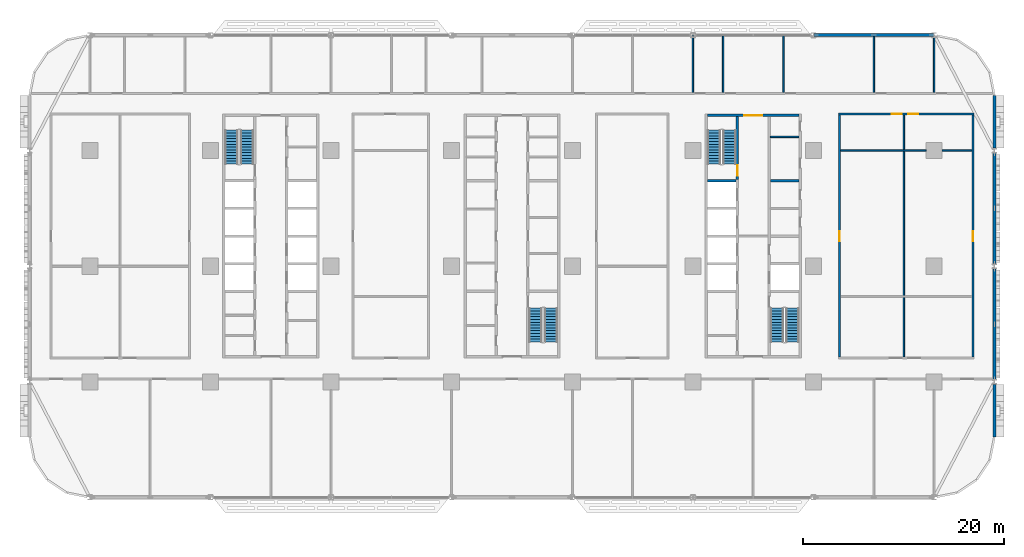
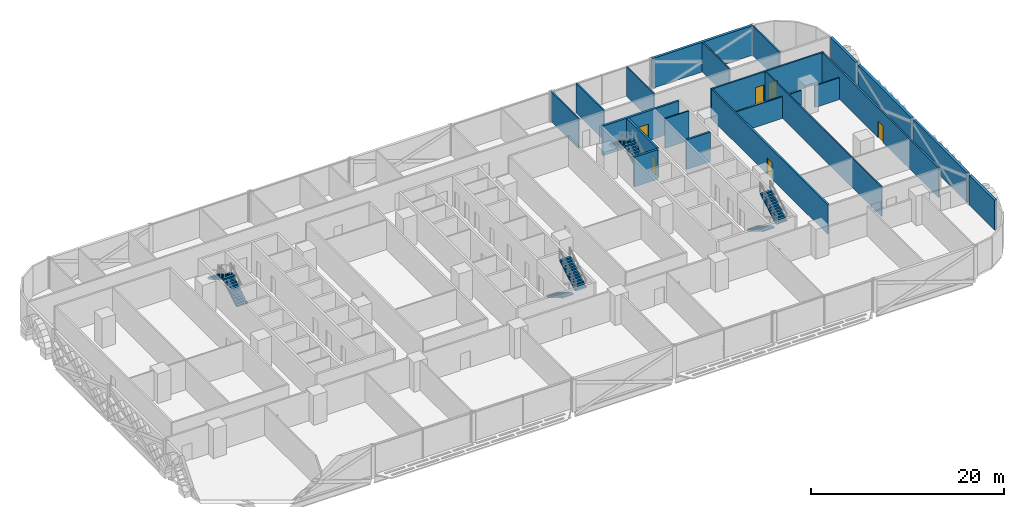
# One storey, part 15 of 29: 21 walls, 8 stair flights, 6 doors, 6 openings, 4 elements without a shape of their own.
"""IFC4 building model written with IfcOpenShell, lengths in metres."""

from ifc_helpers import new_model, si_unit, direction, frame, frame_2d, origin, place, context, subcontext, project, spatial, polyline, rectangle, outline, extrude, material, layer, layer_set, type_object, element, fill, aggregate, save


model = new_model("IFC4")

# Units and contexts
model_context = context("Model", 3, precision=1e-05, world=origin(), true_north=direction((0.0, 1.0)))
body_context = subcontext(model_context, "Body", "Model", "MODEL_VIEW")
ifc_project = project(units=[si_unit("LENGTHUNIT", "METRE"), si_unit("AREAUNIT", "SQUARE_METRE"), si_unit("VOLUMEUNIT", "CUBIC_METRE"), si_unit("PLANEANGLEUNIT", "RADIAN"), si_unit("MASSUNIT", "GRAM", prefix="KILO")], contexts=[model_context])

# Site, building, storey
site_placement = place(None, origin())
site = spatial("IfcSite", under=ifc_project, at=site_placement, CompositionType="ELEMENT")
building_placement = place(site_placement, origin())
building = spatial("IfcBuilding", under=site, at=building_placement, Name="Mahtab Terrace Research Tower", CompositionType="ELEMENT")
storey_placement = place(building_placement, frame((0.0, 0.0, 37.300048828125)))
storey = spatial("IfcBuildingStorey", under=building, at=storey_placement, Name="L08", CompositionType="ELEMENT", Elevation=37.300048828125)

# Wall
ifc_material_1 = material(Name="Gypsum board partition")
ifc_layer_1 = layer(ifc_material_1, 0.14990234375)
ifc_layer_set_1 = layer_set([ifc_layer_1], Name="Core partition 150")
wall_type_1 = type_object("IfcWallType", Name="Core partition 150", PredefinedType="PARTITIONING", material=ifc_layer_set_1)
wall_1_placement = place(storey_placement, frame((25.699951171875, 12.875, 0.0), z_axis=(0.0, 0.0, 1.0), x_axis=(1.0, 0.0, 0.0)))
element("IfcWall", 1, at=wall_1_placement, inside=storey, type_object=wall_type_1, Name="Core wall C pEN988", PredefinedType="PARTITIONING", context=body_context, shape_type="SweptSolid", body=[
    extrude(rectangle(XDim=2.85009765625, YDim=0.14990234375, at=frame_2d((1.425048828125, 0.0))), origin(), (0.0, 0.0, 1.0), 3.75),
])

# Wall, opening, door
ifc_material_2 = material(Name="Concrete C70/85", Category="concrete")
ifc_layer_2 = layer(ifc_material_2, 0.25)
ifc_layer_set_2 = layer_set([ifc_layer_2], Name="Core wall 250")
wall_type_2 = type_object("IfcWallType", Name="Core wall 250", PredefinedType="SOLIDWALL", material=ifc_layer_set_2)
wall_2_placement = place(storey_placement, frame((19.449951171875, 15.0, 0.0), z_axis=(0.0, 0.0, 1.0), x_axis=(1.0, 0.0, 0.0)))
wall_2 = element("IfcWall", 2, at=wall_2_placement, inside=storey, type_object=wall_type_2, Name="Core wall C endN", PredefinedType="SOLIDWALL", context=body_context, shape_type="SweptSolid", body=[
    extrude(rectangle(XDim=9.10009765625, YDim=0.25, at=frame_2d((4.550048828125, 0.0))), origin(), (0.0, 0.0, 1.0), 3.75),
])
opening_1_placement = place(wall_2_placement, frame((3.64990234375, 0.0, 0.0)))
opening_1 = element("IfcOpeningElement", 3, at=opening_1_placement, cuts=wall_2, Name="Opening C-N1", PredefinedType="OPENING", context=body_context, shape_type="SweptSolid", body=[
    extrude(rectangle(XDim=1.800048828125, YDim=2.10009765625, at=frame_2d((0.89990234375, 1.050048828125))), frame((0.0, 0.135009765625, 0.0), z_axis=(0.0, -1.0, 0.0), x_axis=(1.0, 0.0, 0.0)), (0.0, 0.0, 1.0), 0.27001953125),
])
ifc_material_3 = material(Name="Steel fire door", Category="steel")
door_type_1 = type_object("IfcDoorType", Name="Lobby double door 1800x2100 1 HR", OperationType="DOUBLE_DOOR_SINGLE_SWING", PredefinedType="DOOR", material=ifc_material_3)
door_1_placement = place(opening_1_placement, origin())
door_1 = element("IfcDoor", 4, at=door_1_placement, inside=storey, type_object=door_type_1, Name="Core entrance door C N", OperationType="DOUBLE_DOOR_SINGLE_SWING", OverallHeight=2.10009765625, OverallWidth=1.800048828125, PredefinedType="DOOR", context=body_context, shape_type="SweptSolid", body=[
    extrude(rectangle(XDim=1.800048828125, YDim=2.10009765625, at=frame_2d((0.89990234375, 1.050048828125))), frame((0.0, 0.02490234375, 0.0), z_axis=(0.0, -1.0, 0.0), x_axis=(1.0, 0.0, 0.0)), (0.0, 0.0, 1.0), 0.050048828125),
])
fill(opening_1, door_1)

wall_3_placement = place(storey_placement, frame((22.425048828125, 14.875, 0.0), z_axis=(0.0, 0.0, 1.0), x_axis=(0.0, -1.0, 0.0)))
wall_3 = element("IfcWall", 5, at=wall_3_placement, inside=storey, type_object=wall_type_2, Name="Core wall C innerWN", PredefinedType="SOLIDWALL", context=body_context, shape_type="SweptSolid", body=[
    extrude(rectangle(XDim=6.25, YDim=0.25, at=frame_2d((3.125, 0.0))), origin(), (0.0, 0.0, 1.0), 3.75),
])
opening_2_placement = place(wall_3_placement, frame((4.85009765625, 0.0, 0.0)))
opening_2 = element("IfcOpeningElement", 6, at=opening_2_placement, cuts=wall_3, Name="Opening C-ST3", PredefinedType="OPENING", context=body_context, shape_type="SweptSolid", body=[
    extrude(rectangle(XDim=1.0, YDim=2.10009765625, at=frame_2d((0.5, 1.050048828125))), frame((0.0, 0.135009765625, 0.0), z_axis=(0.0, -1.0, 0.0), x_axis=(1.0, 0.0, 0.0)), (0.0, 0.0, 1.0), 0.27001953125),
])
door_type_2 = type_object("IfcDoorType", Name="Stair door 1000x2100 1.5 HR", OperationType="NOTDEFINED", PredefinedType="DOOR", material=ifc_material_3)
door_2_placement = place(opening_2_placement, origin())
door_2 = element("IfcDoor", 7, at=door_2_placement, inside=storey, type_object=door_type_2, Name="Stair door ST3 L08", OperationType="SINGLE_SWING_RIGHT", OverallHeight=2.10009765625, OverallWidth=1.0, PredefinedType="DOOR", context=body_context, shape_type="SweptSolid", body=[
    extrude(rectangle(XDim=1.0, YDim=2.10009765625, at=frame_2d((0.5, 1.050048828125))), frame((0.0, 0.02490234375, 0.0), z_axis=(0.0, -1.0, 0.0), x_axis=(1.0, 0.0, 0.0)), (0.0, 0.0, 1.0), 0.050048828125),
])
fill(opening_2, door_2)

# Walls
for number, where, z_axis, x_axis, name in (
    (8, (19.449951171875, 8.5, 0.0), (0.0, 0.0, 1.0), (1.0, 0.0, 0.0), "Core wall C divW4"),
    (9, (25.699951171875, 8.5, 0.0), (0.0, 0.0, 1.0), (1.0, 0.0, 0.0), "Core wall C divE4"),
):
    element("IfcWall", number, at=place(storey_placement, frame(where, z_axis=z_axis, x_axis=x_axis)), inside=storey, type_object=wall_type_2, Name=name, PredefinedType="SOLIDWALL", context=body_context, shape_type="SweptSolid", body=[
        extrude(rectangle(XDim=2.85009765625, YDim=0.25, at=frame_2d((1.425048828125, 0.0))), origin(), (0.0, 0.0, 1.0), 3.75),
    ])
ifc_material_4 = material(Name="Black aluminium cladding panel", Category="aluminium")
ifc_layer_3 = layer(ifc_material_4, 0.300048828125)
ifc_layer_set_3 = layer_set([ifc_layer_3], Name="Opaque facade wall 300")
wall_type_3 = type_object("IfcWallType", Name="Opaque facade wall 300", PredefinedType="NOTDEFINED", material=ifc_layer_set_3)
wall_4_placement = place(storey_placement, frame((41.97216796875, 23.0, 0.0), z_axis=(0.0, 0.0, 1.0), x_axis=(-1.0, 0.0, 0.0)))
element("IfcWall", 10, at=wall_4_placement, inside=storey, type_object=wall_type_3, Name="Opaque facade wall L08 N3", PredefinedType="NOTDEFINED", context=body_context, shape_type="SweptSolid", body=[
    extrude(rectangle(XDim=11.9443359375, YDim=0.300048828125, at=frame_2d((5.97216796875, 0.0))), origin(), (0.0, 0.0, 1.0), 3.75),
])
wall_5_placement = place(storey_placement, frame((48.0, -17.0, 0.0), z_axis=(0.0, 0.0, 1.0), x_axis=(0.0, 1.0, 0.0)))
element("IfcWall", 11, at=wall_5_placement, inside=storey, type_object=wall_type_3, Name="Opaque facade wall L08 E33", PredefinedType="NOTDEFINED", context=body_context, shape_type="SweptSolid", body=[
    extrude(rectangle(XDim=5.2509765625, YDim=0.300048828125, at=frame_2d((2.62548828125, 0.0))), origin(), (0.0, 0.0, 1.0), 3.75),
])
for number, where, z_axis, x_axis, name in (
    (12, (48.0, -11.2509765625, 0.0), (0.0, 0.0, 1.0), (0.0, 1.0, 0.0), "Opaque facade wall L08 E34"),
    (13, (48.0, 0.2490234375, 0.0), (0.0, 0.0, 1.0), (0.0, 1.0, 0.0), "Opaque facade wall L08 E35"),
):
    element("IfcWall", number, at=place(storey_placement, frame(where, z_axis=z_axis, x_axis=x_axis)), inside=storey, type_object=wall_type_3, Name=name, PredefinedType="NOTDEFINED", context=body_context, shape_type="SweptSolid", body=[
        extrude(rectangle(XDim=11.001953125, YDim=0.300048828125, at=frame_2d((5.5009765625, 0.0))), origin(), (0.0, 0.0, 1.0), 3.75),
    ])
wall_6_placement = place(storey_placement, frame((48.0, 11.7490234375, 0.0), z_axis=(0.0, 0.0, 1.0), x_axis=(0.0, 1.0, 0.0)))
element("IfcWall", 14, at=wall_6_placement, inside=storey, type_object=wall_type_3, Name="Opaque facade wall L08 E36", PredefinedType="NOTDEFINED", context=body_context, shape_type="SweptSolid", body=[
    extrude(rectangle(XDim=5.2509765625, YDim=0.300048828125, at=frame_2d((2.62548828125, 0.0))), origin(), (0.0, 0.0, 1.0), 3.75),
])

# Wall, openings, doors
ifc_material_5 = material(Name="Gypsum board corridor wall on steel studs", Category="steel")
ifc_layer_4 = layer(ifc_material_5, 0.199951171875)
ifc_layer_set_4 = layer_set([ifc_layer_4], Name="WALL CORRIDOR 200")
wall_type_4 = type_object("IfcWallType", Name="WALL CORRIDOR 200", PredefinedType="PARTITIONING", material=ifc_layer_set_4)
wall_7_placement = place(storey_placement, frame((32.5, 15.125, 0.0), z_axis=(0.0, 0.0, 1.0), x_axis=(1.0, 0.0, 0.0)))
wall_7 = element("IfcWall", 15, at=wall_7_placement, inside=storey, type_object=wall_type_4, Name="L08-W025", PredefinedType="PARTITIONING", context=body_context, shape_type="SweptSolid", body=[
    extrude(rectangle(XDim=13.449951171875, YDim=0.199951171875, at=frame_2d((6.72509765625, 0.0))), origin(), (0.0, 0.0, 1.0), 3.75),
])
opening_3_placement = place(wall_7_placement, frame((5.300048828125, 0.0, 0.0)))
opening_3 = element("IfcOpeningElement", 16, at=opening_3_placement, cuts=wall_7, Name="Opening L08-124", PredefinedType="OPENING", context=body_context, shape_type="SweptSolid", body=[
    extrude(rectangle(XDim=1.0, YDim=2.10009765625, at=frame_2d((0.5, 1.050048828125))), frame((0.0, 0.10986328125, 0.0), z_axis=(0.0, -1.0, 0.0), x_axis=(1.0, 0.0, 0.0)), (0.0, 0.0, 1.0), 0.219970703125),
])
opening_4_placement = place(wall_7_placement, frame((6.89990234375, 0.0, 0.0)))
opening_4 = element("IfcOpeningElement", 17, at=opening_4_placement, cuts=wall_7, Name="Opening L08-125", PredefinedType="OPENING", context=body_context, shape_type="SweptSolid", body=[
    extrude(rectangle(XDim=1.0, YDim=2.10009765625, at=frame_2d((0.5, 1.050048828125))), frame((0.0, 0.10986328125, 0.0), z_axis=(0.0, -1.0, 0.0), x_axis=(1.0, 0.0, 0.0)), (0.0, 0.0, 1.0), 0.219970703125),
])
ifc_material_6 = material(Name="Timber door leaf in steel frame", Category="steel")
door_type_3 = type_object("IfcDoorType", Name="DOOR 1000X2100 FD30S", OperationType="SINGLE_SWING_LEFT", PredefinedType="DOOR", material=ifc_material_6)
door_3_placement = place(opening_3_placement, origin())
door_3 = element("IfcDoor", 18, at=door_3_placement, inside=storey, type_object=door_type_3, Name="Door L08-124", OperationType="SINGLE_SWING_RIGHT", OverallHeight=2.10009765625, OverallWidth=1.0, PredefinedType="DOOR", context=body_context, shape_type="SweptSolid", body=[
    extrude(rectangle(XDim=1.0, YDim=2.10009765625, at=frame_2d((0.5, 1.050048828125))), frame((0.0, 0.02490234375, 0.0), z_axis=(0.0, -1.0, 0.0), x_axis=(1.0, 0.0, 0.0)), (0.0, 0.0, 1.0), 0.050048828125),
])
fill(opening_3, door_3)
door_4_placement = place(opening_4_placement, origin())
door_4 = element("IfcDoor", 19, at=door_4_placement, inside=storey, type_object=door_type_3, Name="Door L08-125", OperationType="SINGLE_SWING_LEFT", OverallHeight=2.10009765625, OverallWidth=1.0, PredefinedType="DOOR", context=body_context, shape_type="SweptSolid", body=[
    extrude(rectangle(XDim=1.0, YDim=2.10009765625, at=frame_2d((0.5, 1.050048828125))), frame((0.0, 0.02490234375, 0.0), z_axis=(0.0, -1.0, 0.0), x_axis=(1.0, 0.0, 0.0)), (0.0, 0.0, 1.0), 0.050048828125),
])
fill(opening_4, door_4)

# Wall, opening, door
wall_8_placement = place(storey_placement, frame((32.60009765625, -9.02490234375, 0.0), z_axis=(0.0, 0.0, 1.0), x_axis=(0.0, 1.0, 0.0)))
wall_8 = element("IfcWall", 20, at=wall_8_placement, inside=storey, type_object=wall_type_4, Name="L08-W054", PredefinedType="PARTITIONING", context=body_context, shape_type="SweptSolid", body=[
    extrude(rectangle(XDim=24.0498046875, YDim=0.199951171875, at=frame_2d((12.02490234375, 0.0))), origin(), (0.0, 0.0, 1.0), 3.75),
])
opening_5_placement = place(wall_8_placement, frame((11.5, 0.0, 0.0)))
opening_5 = element("IfcOpeningElement", 21, at=opening_5_placement, cuts=wall_8, Name="Opening L08-118", PredefinedType="OPENING", context=body_context, shape_type="SweptSolid", body=[
    extrude(rectangle(XDim=1.0, YDim=2.10009765625, at=frame_2d((0.5, 1.050048828125))), frame((0.0, 0.10986328125, 0.0), z_axis=(0.0, -1.0, 0.0), x_axis=(1.0, 0.0, 0.0)), (0.0, 0.0, 1.0), 0.219970703125),
])
door_5_placement = place(opening_5_placement, origin())
door_5 = element("IfcDoor", 22, at=door_5_placement, inside=storey, type_object=door_type_3, Name="Door L08-118", OperationType="SINGLE_SWING_RIGHT", OverallHeight=2.10009765625, OverallWidth=1.0, PredefinedType="DOOR", context=body_context, shape_type="SweptSolid", body=[
    extrude(rectangle(XDim=1.0, YDim=2.10009765625, at=frame_2d((0.5, 1.050048828125))), frame((0.0, 0.02490234375, 0.0), z_axis=(0.0, -1.0, 0.0), x_axis=(1.0, 0.0, 0.0)), (0.0, 0.0, 1.0), 0.050048828125),
])
fill(opening_5, door_5)

wall_9_placement = place(storey_placement, frame((45.85009765625, -9.02490234375, 0.0), z_axis=(0.0, 0.0, 1.0), x_axis=(0.0, 1.0, 0.0)))
wall_9 = element("IfcWall", 23, at=wall_9_placement, inside=storey, type_object=wall_type_4, Name="L08-W060", PredefinedType="PARTITIONING", context=body_context, shape_type="SweptSolid", body=[
    extrude(rectangle(XDim=24.0498046875, YDim=0.199951171875, at=frame_2d((12.02490234375, 0.0))), origin(), (0.0, 0.0, 1.0), 3.75),
])
opening_6_placement = place(wall_9_placement, frame((11.5, 0.0, 0.0)))
opening_6 = element("IfcOpeningElement", 24, at=opening_6_placement, cuts=wall_9, Name="Opening L08-119", PredefinedType="OPENING", context=body_context, shape_type="SweptSolid", body=[
    extrude(rectangle(XDim=1.0, YDim=2.10009765625, at=frame_2d((0.5, 1.050048828125))), frame((0.0, 0.10986328125, 0.0), z_axis=(0.0, -1.0, 0.0), x_axis=(1.0, 0.0, 0.0)), (0.0, 0.0, 1.0), 0.219970703125),
])
door_6_placement = place(opening_6_placement, origin())
door_6 = element("IfcDoor", 25, at=door_6_placement, inside=storey, type_object=door_type_3, Name="Door L08-119", OperationType="SINGLE_SWING_LEFT", OverallHeight=2.10009765625, OverallWidth=1.0, PredefinedType="DOOR", context=body_context, shape_type="SweptSolid", body=[
    extrude(rectangle(XDim=1.0, YDim=2.10009765625, at=frame_2d((0.5, 1.050048828125))), frame((0.0, 0.02490234375, 0.0), z_axis=(0.0, -1.0, 0.0), x_axis=(1.0, 0.0, 0.0)), (0.0, 0.0, 1.0), 0.050048828125),
])
fill(opening_6, door_6)

# Walls
ifc_material_7 = material(Name="Gypsum board partition on steel studs", Category="steel")
ifc_layer_5 = layer(ifc_material_7, 0.14990234375)
ifc_layer_set_5 = layer_set([ifc_layer_5], Name="WALL PARTITION 150")
wall_type_5 = type_object("IfcWallType", Name="WALL PARTITION 150", PredefinedType="PARTITIONING", material=ifc_layer_set_5)
wall_10_placement = place(storey_placement, frame((32.699951171875, 11.5, 0.0), z_axis=(0.0, 0.0, 1.0), x_axis=(1.0, 0.0, 0.0)))
element("IfcWall", 26, at=wall_10_placement, inside=storey, type_object=wall_type_5, Name="L08-W020", PredefinedType="PARTITIONING", context=body_context, shape_type="SweptSolid", body=[
    extrude(rectangle(XDim=8.5, YDim=0.14990234375, at=frame_2d((4.25, 0.0))), origin(), (0.0, 0.0, 1.0), 2.751220703125),
])
wall_11_placement = place(storey_placement, frame((42.800048828125, 11.5, 0.0), z_axis=(0.0, 0.0, 1.0), x_axis=(1.0, 0.0, 0.0)))
element("IfcWall", 27, at=wall_11_placement, inside=storey, type_object=wall_type_5, Name="L08-W021", PredefinedType="PARTITIONING", context=body_context, shape_type="SweptSolid", body=[
    extrude(rectangle(XDim=2.949951171875, YDim=0.14990234375, at=frame_2d((1.47509765625, 0.0))), origin(), (0.0, 0.0, 1.0), 2.751220703125),
])
for number, where, z_axis, x_axis, name in (
    (28, (18.0, 17.300048828125, 0.0), (0.0, 0.0, 1.0), (0.0, 1.0, 0.0), "L08-W050"),
    (29, (21.0, 17.300048828125, 0.0), (0.0, 0.0, 1.0), (0.0, 1.0, 0.0), "L08-W051"),
    (30, (27.0, 17.300048828125, 0.0), (0.0, 0.0, 1.0), (0.0, 1.0, 0.0), "L08-W053"),
):
    element("IfcWall", number, at=place(storey_placement, frame(where, z_axis=z_axis, x_axis=x_axis)), inside=storey, type_object=wall_type_5, Name=name, PredefinedType="PARTITIONING", context=body_context, shape_type="SweptSolid", body=[
        extrude(rectangle(XDim=5.675048828125, YDim=0.14990234375, at=frame_2d((2.83740234375, 0.0))), origin(), (0.0, 0.0, 1.0), 3.75),
    ])
wall_12_placement = place(storey_placement, frame((36.0, 17.300048828125, 0.0), z_axis=(0.0, 0.0, 1.0), x_axis=(0.0, 1.0, 0.0)))
element("IfcWall", 31, at=wall_12_placement, inside=storey, type_object=wall_type_5, Name="L08-W056", PredefinedType="PARTITIONING", context=body_context, shape_type="SweptSolid", body=[
    extrude(rectangle(XDim=5.550048828125, YDim=0.14990234375, at=frame_2d((2.77490234375, 0.0))), origin(), (0.0, 0.0, 1.0), 3.75),
])
wall_13_placement = place(storey_placement, frame((39.0, -9.02490234375, 0.0), z_axis=(0.0, 0.0, 1.0), x_axis=(0.0, 1.0, 0.0)))
element("IfcWall", 32, at=wall_13_placement, inside=storey, type_object=wall_type_5, Name="L08-W057", PredefinedType="PARTITIONING", context=body_context, shape_type="SweptSolid", body=[
    extrude(rectangle(XDim=24.0498046875, YDim=0.14990234375, at=frame_2d((12.02490234375, 0.0))), origin(), (0.0, 0.0, 1.0), 3.75),
])
wall_14_placement = place(storey_placement, frame((42.0, 17.300048828125, 0.0), z_axis=(0.0, 0.0, 1.0), x_axis=(0.0, 1.0, 0.0)))
element("IfcWall", 33, at=wall_14_placement, inside=storey, type_object=wall_type_5, Name="L08-W059", PredefinedType="PARTITIONING", context=body_context, shape_type="SweptSolid", body=[
    extrude(rectangle(XDim=5.547119140625, YDim=0.14990234375, at=frame_2d((2.7734375, 0.0))), origin(), (0.0, 0.0, 1.0), 3.75),
])

# Stair, stair flights
ifc_material_8 = material(Name="Exit stair half-turn")
stair_type = type_object("IfcStairType", Name="Exit stair half-turn", PredefinedType="HALF_TURN_STAIR", material=ifc_material_8)
stair_1_placement = place(storey_placement, origin())
stair_1 = element("IfcStair", 34, at=stair_1_placement, inside=storey, type_object=stair_type, Name="L08 Protected exit stair ST1", PredefinedType="HALF_TURN_STAIR")
ifc_material_9 = material(Name="Concrete C40/50", Category="concrete")
stair_flight_type = type_object("IfcStairFlightType", Name="Exit stair flight 1300", PredefinedType="STRAIGHT", material=ifc_material_9)
stair_flight_1_placement = place(storey_placement, frame((-26.35009765625, 10.175048828125, 0.0), z_axis=(0.0, 0.0, 1.0), x_axis=(0.0, 1.0, 0.0)))
stair_flight_1 = element("IfcStairFlight", 35, at=stair_flight_1_placement, type_object=stair_flight_type, Name="ST1 flight 1", NumberOfRisers=13, NumberOfTreads=12, PredefinedType="STRAIGHT", RiserHeight=0.165384615, TreadLength=0.28, context=body_context, shape_type="SweptSolid", body=[
    extrude(outline(polyline([(0.0, 0.0), (0.0, 0.165283203125), (0.280029296875, 0.165283203125), (0.280029296875, 0.330810546875), (0.56005859375, 0.330810546875), (0.56005859375, 0.49609375), (0.840087890625, 0.49609375), (0.840087890625, 0.66162109375), (1.1201171875, 0.66162109375), (1.1201171875, 0.826904296875), (1.39990234375, 0.826904296875), (1.39990234375, 0.9921875), (1.679931640625, 0.9921875), (1.679931640625, 1.15771484375), (1.9599609375, 1.15771484375), (1.9599609375, 1.322998046875), (2.239990234375, 1.322998046875), (2.239990234375, 1.488525390625), (2.52001953125, 1.488525390625), (2.52001953125, 1.65380859375), (2.800048828125, 1.65380859375), (2.800048828125, 1.8193359375), (3.080078125, 1.8193359375), (3.080078125, 1.984619140625), (3.360107421875, 1.984619140625), (3.360107421875, 2.14990234375), (3.360107421875, 1.810546875), (0.294677734375, 0.0), (0.0, 0.0)])), frame((0.0, 0.64990234375, 0.0), z_axis=(0.0, -1.0, 0.0), x_axis=(1.0, 0.0, 0.0)), (0.0, 0.0, 1.0), 1.300048828125),
])
stair_flight_2_placement = place(storey_placement, frame((-27.89990234375, 13.534912109375, 2.14990234375), z_axis=(0.0, 0.0, 1.0), x_axis=(0.0, -1.0, 0.0)))
stair_flight_2 = element("IfcStairFlight", 36, at=stair_flight_2_placement, type_object=stair_flight_type, Name="ST1 flight 2", NumberOfRisers=13, NumberOfTreads=12, PredefinedType="STRAIGHT", RiserHeight=0.165384615, TreadLength=0.28, context=body_context, shape_type="SweptSolid", body=[
    extrude(outline(polyline([(0.0, 0.0), (0.0, 0.165283203125), (0.280029296875, 0.165283203125), (0.280029296875, 0.330810546875), (0.56005859375, 0.330810546875), (0.56005859375, 0.49609375), (0.840087890625, 0.49609375), (0.840087890625, 0.66162109375), (1.1201171875, 0.66162109375), (1.1201171875, 0.826904296875), (1.39990234375, 0.826904296875), (1.39990234375, 0.9921875), (1.679931640625, 0.9921875), (1.679931640625, 1.15771484375), (1.9599609375, 1.15771484375), (1.9599609375, 1.322998046875), (2.239990234375, 1.322998046875), (2.239990234375, 1.488525390625), (2.52001953125, 1.488525390625), (2.52001953125, 1.65380859375), (2.800048828125, 1.65380859375), (2.800048828125, 1.8193359375), (3.080078125, 1.8193359375), (3.080078125, 1.984619140625), (3.360107421875, 1.984619140625), (3.360107421875, 2.14990234375), (3.360107421875, 1.810546875), (0.294677734375, 0.0), (0.0, 0.0)])), frame((0.0, 0.64990234375, 0.0), z_axis=(0.0, -1.0, 0.0), x_axis=(1.0, 0.0, 0.0)), (0.0, 0.0, 1.0), 1.300048828125),
])
aggregate(stair_1, [stair_flight_1, stair_flight_2])

stair_2_placement = place(storey_placement, origin())
stair_2 = element("IfcStair", 37, at=stair_2_placement, inside=storey, type_object=stair_type, Name="L08 Protected exit stair ST2", PredefinedType="HALF_TURN_STAIR")
stair_flight_3_placement = place(storey_placement, frame((2.35009765625, -4.175048828125, 0.0), z_axis=(0.0, 0.0, 1.0), x_axis=(0.0, -1.0, 0.0)))
stair_flight_3 = element("IfcStairFlight", 38, at=stair_flight_3_placement, type_object=stair_flight_type, Name="ST2 flight 1", NumberOfRisers=13, NumberOfTreads=12, PredefinedType="STRAIGHT", RiserHeight=0.165384615, TreadLength=0.28, context=body_context, shape_type="SweptSolid", body=[
    extrude(outline(polyline([(0.0, 0.0), (0.0, 0.165283203125), (0.280029296875, 0.165283203125), (0.280029296875, 0.330810546875), (0.56005859375, 0.330810546875), (0.56005859375, 0.49609375), (0.840087890625, 0.49609375), (0.840087890625, 0.66162109375), (1.1201171875, 0.66162109375), (1.1201171875, 0.826904296875), (1.39990234375, 0.826904296875), (1.39990234375, 0.9921875), (1.679931640625, 0.9921875), (1.679931640625, 1.15771484375), (1.9599609375, 1.15771484375), (1.9599609375, 1.322998046875), (2.239990234375, 1.322998046875), (2.239990234375, 1.488525390625), (2.52001953125, 1.488525390625), (2.52001953125, 1.65380859375), (2.800048828125, 1.65380859375), (2.800048828125, 1.8193359375), (3.080078125, 1.8193359375), (3.080078125, 1.984619140625), (3.360107421875, 1.984619140625), (3.360107421875, 2.14990234375), (3.360107421875, 1.810546875), (0.294677734375, 0.0), (0.0, 0.0)])), frame((0.0, 0.64990234375, 0.0), z_axis=(0.0, -1.0, 0.0), x_axis=(1.0, 0.0, 0.0)), (0.0, 0.0, 1.0), 1.300048828125),
])
stair_flight_4_placement = place(storey_placement, frame((3.89990234375, -7.534912109375, 2.14990234375), z_axis=(0.0, 0.0, 1.0), x_axis=(0.0, 1.0, 0.0)))
stair_flight_4 = element("IfcStairFlight", 39, at=stair_flight_4_placement, type_object=stair_flight_type, Name="ST2 flight 2", NumberOfRisers=13, NumberOfTreads=12, PredefinedType="STRAIGHT", RiserHeight=0.165384615, TreadLength=0.28, context=body_context, shape_type="SweptSolid", body=[
    extrude(outline(polyline([(0.0, 0.0), (0.0, 0.165283203125), (0.280029296875, 0.165283203125), (0.280029296875, 0.330810546875), (0.56005859375, 0.330810546875), (0.56005859375, 0.49609375), (0.840087890625, 0.49609375), (0.840087890625, 0.66162109375), (1.1201171875, 0.66162109375), (1.1201171875, 0.826904296875), (1.39990234375, 0.826904296875), (1.39990234375, 0.9921875), (1.679931640625, 0.9921875), (1.679931640625, 1.15771484375), (1.9599609375, 1.15771484375), (1.9599609375, 1.322998046875), (2.239990234375, 1.322998046875), (2.239990234375, 1.488525390625), (2.52001953125, 1.488525390625), (2.52001953125, 1.65380859375), (2.800048828125, 1.65380859375), (2.800048828125, 1.8193359375), (3.080078125, 1.8193359375), (3.080078125, 1.984619140625), (3.360107421875, 1.984619140625), (3.360107421875, 2.14990234375), (3.360107421875, 1.810546875), (0.294677734375, 0.0), (0.0, 0.0)])), frame((0.0, 0.64990234375, 0.0), z_axis=(0.0, -1.0, 0.0), x_axis=(1.0, 0.0, 0.0)), (0.0, 0.0, 1.0), 1.300048828125),
])
aggregate(stair_2, [stair_flight_3, stair_flight_4])

stair_3_placement = place(storey_placement, origin())
stair_3 = element("IfcStair", 40, at=stair_3_placement, inside=storey, type_object=stair_type, Name="L08 Protected exit stair ST3", PredefinedType="HALF_TURN_STAIR")
stair_flight_5_placement = place(storey_placement, frame((21.64990234375, 10.175048828125, 0.0), z_axis=(0.0, 0.0, 1.0), x_axis=(0.0, 1.0, 0.0)))
stair_flight_5 = element("IfcStairFlight", 41, at=stair_flight_5_placement, type_object=stair_flight_type, Name="ST3 flight 1", NumberOfRisers=13, NumberOfTreads=12, PredefinedType="STRAIGHT", RiserHeight=0.165384615, TreadLength=0.28, context=body_context, shape_type="SweptSolid", body=[
    extrude(outline(polyline([(0.0, 0.0), (0.0, 0.165283203125), (0.280029296875, 0.165283203125), (0.280029296875, 0.330810546875), (0.56005859375, 0.330810546875), (0.56005859375, 0.49609375), (0.840087890625, 0.49609375), (0.840087890625, 0.66162109375), (1.1201171875, 0.66162109375), (1.1201171875, 0.826904296875), (1.39990234375, 0.826904296875), (1.39990234375, 0.9921875), (1.679931640625, 0.9921875), (1.679931640625, 1.15771484375), (1.9599609375, 1.15771484375), (1.9599609375, 1.322998046875), (2.239990234375, 1.322998046875), (2.239990234375, 1.488525390625), (2.52001953125, 1.488525390625), (2.52001953125, 1.65380859375), (2.800048828125, 1.65380859375), (2.800048828125, 1.8193359375), (3.080078125, 1.8193359375), (3.080078125, 1.984619140625), (3.360107421875, 1.984619140625), (3.360107421875, 2.14990234375), (3.360107421875, 1.810546875), (0.294677734375, 0.0), (0.0, 0.0)])), frame((0.0, 0.64990234375, 0.0), z_axis=(0.0, -1.0, 0.0), x_axis=(1.0, 0.0, 0.0)), (0.0, 0.0, 1.0), 1.300048828125),
])
stair_flight_6_placement = place(storey_placement, frame((20.10009765625, 13.534912109375, 2.14990234375), z_axis=(0.0, 0.0, 1.0), x_axis=(0.0, -1.0, 0.0)))
stair_flight_6 = element("IfcStairFlight", 42, at=stair_flight_6_placement, type_object=stair_flight_type, Name="ST3 flight 2", NumberOfRisers=13, NumberOfTreads=12, PredefinedType="STRAIGHT", RiserHeight=0.165384615, TreadLength=0.28, context=body_context, shape_type="SweptSolid", body=[
    extrude(outline(polyline([(0.0, 0.0), (0.0, 0.165283203125), (0.280029296875, 0.165283203125), (0.280029296875, 0.330810546875), (0.56005859375, 0.330810546875), (0.56005859375, 0.49609375), (0.840087890625, 0.49609375), (0.840087890625, 0.66162109375), (1.1201171875, 0.66162109375), (1.1201171875, 0.826904296875), (1.39990234375, 0.826904296875), (1.39990234375, 0.9921875), (1.679931640625, 0.9921875), (1.679931640625, 1.15771484375), (1.9599609375, 1.15771484375), (1.9599609375, 1.322998046875), (2.239990234375, 1.322998046875), (2.239990234375, 1.488525390625), (2.52001953125, 1.488525390625), (2.52001953125, 1.65380859375), (2.800048828125, 1.65380859375), (2.800048828125, 1.8193359375), (3.080078125, 1.8193359375), (3.080078125, 1.984619140625), (3.360107421875, 1.984619140625), (3.360107421875, 2.14990234375), (3.360107421875, 1.810546875), (0.294677734375, 0.0), (0.0, 0.0)])), frame((0.0, 0.64990234375, 0.0), z_axis=(0.0, -1.0, 0.0), x_axis=(1.0, 0.0, 0.0)), (0.0, 0.0, 1.0), 1.300048828125),
])
aggregate(stair_3, [stair_flight_5, stair_flight_6])

stair_4_placement = place(storey_placement, origin())
stair_4 = element("IfcStair", 43, at=stair_4_placement, inside=storey, type_object=stair_type, Name="L08 Protected exit stair ST4", PredefinedType="HALF_TURN_STAIR")
stair_flight_7_placement = place(storey_placement, frame((26.35009765625, -4.175048828125, 0.0), z_axis=(0.0, 0.0, 1.0), x_axis=(0.0, -1.0, 0.0)))
stair_flight_7 = element("IfcStairFlight", 44, at=stair_flight_7_placement, type_object=stair_flight_type, Name="ST4 flight 1", NumberOfRisers=13, NumberOfTreads=12, PredefinedType="STRAIGHT", RiserHeight=0.165384615, TreadLength=0.28, context=body_context, shape_type="SweptSolid", body=[
    extrude(outline(polyline([(0.0, 0.0), (0.0, 0.165283203125), (0.280029296875, 0.165283203125), (0.280029296875, 0.330810546875), (0.56005859375, 0.330810546875), (0.56005859375, 0.49609375), (0.840087890625, 0.49609375), (0.840087890625, 0.66162109375), (1.1201171875, 0.66162109375), (1.1201171875, 0.826904296875), (1.39990234375, 0.826904296875), (1.39990234375, 0.9921875), (1.679931640625, 0.9921875), (1.679931640625, 1.15771484375), (1.9599609375, 1.15771484375), (1.9599609375, 1.322998046875), (2.239990234375, 1.322998046875), (2.239990234375, 1.488525390625), (2.52001953125, 1.488525390625), (2.52001953125, 1.65380859375), (2.800048828125, 1.65380859375), (2.800048828125, 1.8193359375), (3.080078125, 1.8193359375), (3.080078125, 1.984619140625), (3.360107421875, 1.984619140625), (3.360107421875, 2.14990234375), (3.360107421875, 1.810546875), (0.294677734375, 0.0), (0.0, 0.0)])), frame((0.0, 0.64990234375, 0.0), z_axis=(0.0, -1.0, 0.0), x_axis=(1.0, 0.0, 0.0)), (0.0, 0.0, 1.0), 1.300048828125),
])
stair_flight_8_placement = place(storey_placement, frame((27.89990234375, -7.534912109375, 2.14990234375), z_axis=(0.0, 0.0, 1.0), x_axis=(0.0, 1.0, 0.0)))
stair_flight_8 = element("IfcStairFlight", 45, at=stair_flight_8_placement, type_object=stair_flight_type, Name="ST4 flight 2", NumberOfRisers=13, NumberOfTreads=12, PredefinedType="STRAIGHT", RiserHeight=0.165384615, TreadLength=0.28, context=body_context, shape_type="SweptSolid", body=[
    extrude(outline(polyline([(0.0, 0.0), (0.0, 0.165283203125), (0.280029296875, 0.165283203125), (0.280029296875, 0.330810546875), (0.56005859375, 0.330810546875), (0.56005859375, 0.49609375), (0.840087890625, 0.49609375), (0.840087890625, 0.66162109375), (1.1201171875, 0.66162109375), (1.1201171875, 0.826904296875), (1.39990234375, 0.826904296875), (1.39990234375, 0.9921875), (1.679931640625, 0.9921875), (1.679931640625, 1.15771484375), (1.9599609375, 1.15771484375), (1.9599609375, 1.322998046875), (2.239990234375, 1.322998046875), (2.239990234375, 1.488525390625), (2.52001953125, 1.488525390625), (2.52001953125, 1.65380859375), (2.800048828125, 1.65380859375), (2.800048828125, 1.8193359375), (3.080078125, 1.8193359375), (3.080078125, 1.984619140625), (3.360107421875, 1.984619140625), (3.360107421875, 2.14990234375), (3.360107421875, 1.810546875), (0.294677734375, 0.0), (0.0, 0.0)])), frame((0.0, 0.64990234375, 0.0), z_axis=(0.0, -1.0, 0.0), x_axis=(1.0, 0.0, 0.0)), (0.0, 0.0, 1.0), 1.300048828125),
])
aggregate(stair_4, [stair_flight_7, stair_flight_8])

save(model, "model.ifc")
